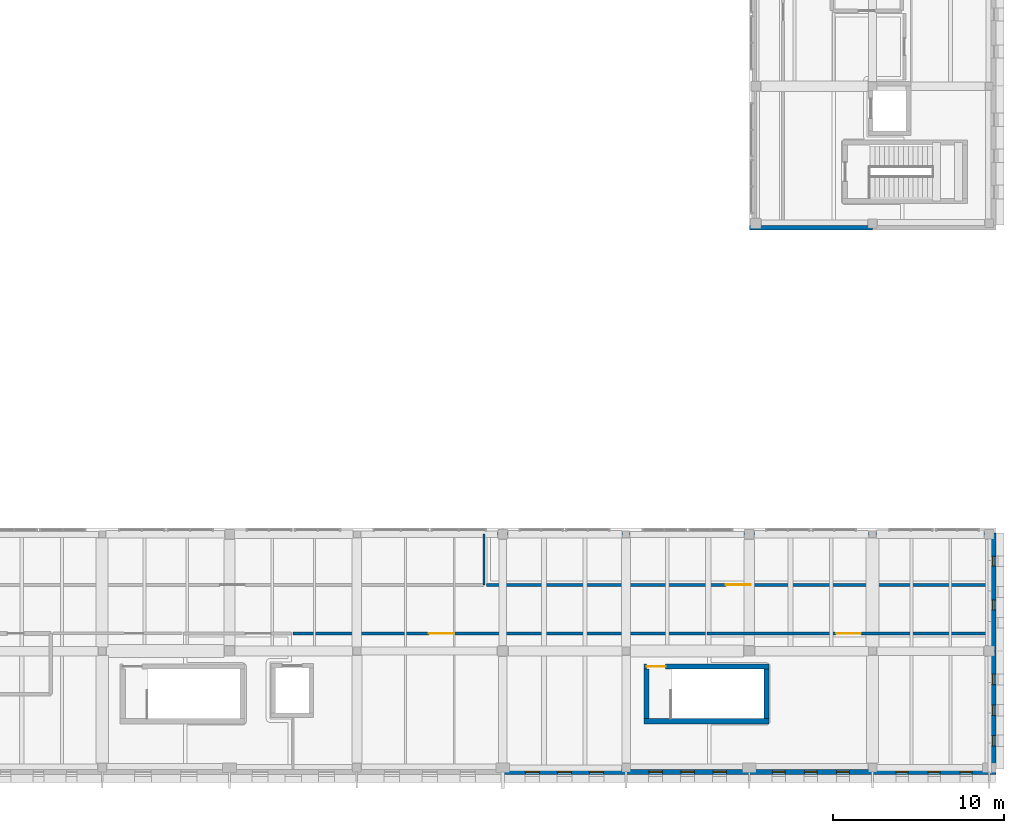
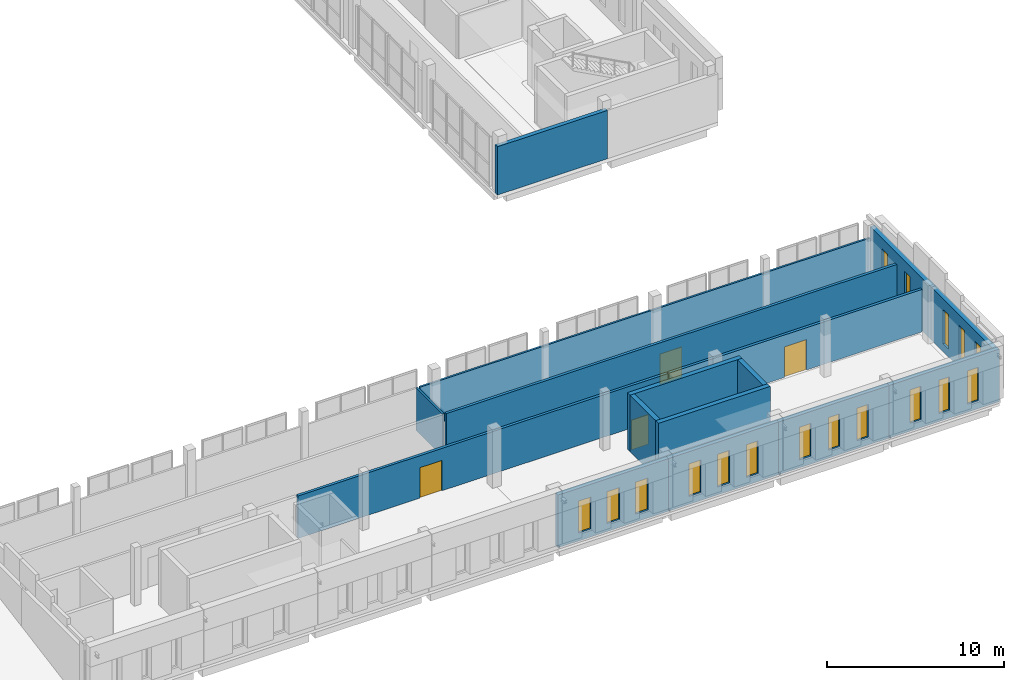
# One storey, part 43 of 56: 17 windows, 16 walls, 4 doors, 21 openings.
"""IFC4 building model written with IfcOpenShell, lengths in metres."""

from ifc_helpers import new_model, si_unit, direction, frame, frame_2d, origin, place, context, subcontext, project, spatial, rectangle, extrude, material, layer, layer_set, type_object, element, fill, save


model = new_model("IFC4")

# Units and contexts
model_context = context("Model", 3, precision=1e-05, world=origin(), true_north=direction((0.0, 1.0)))
body_context = subcontext(model_context, "Body", "Model", "MODEL_VIEW")
ifc_project = project(units=[si_unit("LENGTHUNIT", "METRE"), si_unit("AREAUNIT", "SQUARE_METRE"), si_unit("VOLUMEUNIT", "CUBIC_METRE"), si_unit("PLANEANGLEUNIT", "RADIAN"), si_unit("MASSUNIT", "GRAM", prefix="KILO")], contexts=[model_context])

# Site, building, storey
site_placement = place(None, origin())
site = spatial("IfcSite", under=ifc_project, at=site_placement, CompositionType="ELEMENT")
building_placement = place(site_placement, origin())
building = spatial("IfcBuilding", under=site, at=building_placement, Name="Vardoun Plaza Health Centre", CompositionType="ELEMENT")
storey_placement = place(building_placement, frame((0.0, 0.0, 8.699951171875)))
storey = spatial("IfcBuildingStorey", under=building, at=storey_placement, Name="L02", CompositionType="ELEMENT", Elevation=8.699951171875)

# Walls
ifc_material_1 = material(Name="Concrete C40/50", Category="concrete")
ifc_layer_1 = layer(ifc_material_1, 0.300048828125)
ifc_layer_set_1 = layer_set([ifc_layer_1], Name="Concrete C40/50")
wall_type_1 = type_object("IfcWallType", Name="SW-01", PredefinedType="SHEAR", material=ifc_layer_set_1)
wall_1_placement = place(storey_placement, frame((152.050048828125, 7.60009765625, 0.0), z_axis=(0.0, 0.0, 1.0), x_axis=(-1.0, 0.0, 0.0)))
element("IfcWall", 1, at=wall_1_placement, inside=storey, type_object=wall_type_1, Name="Core C9 L02 Shear Wall S", PredefinedType="SHEAR", context=body_context, shape_type="SweptSolid", body=[
    extrude(rectangle(XDim=7.300048828125, YDim=0.300048828125, at=frame_2d((3.64990234375, 0.0))), origin(), (0.0, 0.0, 1.0), 3.905029296875),
])
wall_2_placement = place(storey_placement, frame((144.89990234375, 7.75, 0.0), z_axis=(0.0, 0.0, 1.0), x_axis=(0.0, 1.0, 0.0)))
element("IfcWall", 2, at=wall_2_placement, inside=storey, type_object=wall_type_1, Name="Core C9 L02 Shear Wall W", PredefinedType="SHEAR", context=body_context, shape_type="SweptSolid", body=[
    extrude(rectangle(XDim=2.89990234375, YDim=0.300048828125, at=frame_2d((1.449951171875, 0.0))), origin(), (0.0, 0.0, 1.0), 3.905029296875),
])

# Wall, opening, door
wall_3_placement = place(storey_placement, frame((144.75, 10.800048828125, 0.0), z_axis=(0.0, 0.0, 1.0), x_axis=(1.0, 0.0, 0.0)))
wall_3 = element("IfcWall", 3, at=wall_3_placement, inside=storey, type_object=wall_type_1, Name="Core C9 L02 Shear Wall N", PredefinedType="SHEAR", context=body_context, shape_type="SweptSolid", body=[
    extrude(rectangle(XDim=7.300048828125, YDim=0.300048828125, at=frame_2d((3.64990234375, 0.0))), origin(), (0.0, 0.0, 1.0), 3.905029296875),
])
opening_1_placement = place(wall_3_placement, frame((0.159912109375, 0.0, 0.0)))
opening_1 = element("IfcOpeningElement", 4, at=opening_1_placement, cuts=wall_3, Name="Opening SD-C9-L02", PredefinedType="OPENING", context=body_context, shape_type="SweptSolid", body=[
    extrude(rectangle(XDim=1.10009765625, YDim=2.050048828125, at=frame_2d((0.550048828125, 1.02490234375))), frame((0.0, 0.14990234375, 0.0), z_axis=(0.0, -1.0, 0.0), x_axis=(1.0, 0.0, 0.0)), (0.0, 0.0, 1.0), 0.300048828125),
])
ifc_material_2 = material(Name="Brushed Stainless Steel Grade 316L", Category="steel")
door_type_1 = type_object("IfcDoorType", Name="FD-01", OperationType="NOTDEFINED", PredefinedType="DOOR", material=ifc_material_2)
door_1_placement = place(opening_1_placement, origin())
door_1 = element("IfcDoor", 5, at=door_1_placement, inside=storey, type_object=door_type_1, Name="Stair C9 L02 Fire Door", OperationType="SINGLE_SWING_RIGHT", OverallHeight=2.050048828125, OverallWidth=1.10009765625, PredefinedType="DOOR", context=body_context, shape_type="SweptSolid", body=[
    extrude(rectangle(XDim=1.10009765625, YDim=2.050048828125, at=frame_2d((0.550048828125, 1.02490234375))), frame((0.0, 0.02490234375, 0.0), z_axis=(0.0, -1.0, 0.0), x_axis=(1.0, 0.0, 0.0)), (0.0, 0.0, 1.0), 0.050048828125),
])
fill(opening_1, door_1)

# Walls
wall_4_placement = place(storey_placement, frame((151.89990234375, 10.64990234375, 0.0), z_axis=(0.0, 0.0, 1.0), x_axis=(0.0, -1.0, 0.0)))
element("IfcWall", 6, at=wall_4_placement, inside=storey, type_object=wall_type_1, Name="Core C9 L02 Shear Wall E", PredefinedType="SHEAR", context=body_context, shape_type="SweptSolid", body=[
    extrude(rectangle(XDim=2.89990234375, YDim=0.300048828125, at=frame_2d((1.449951171875, 0.0))), origin(), (0.0, 0.0, 1.0), 3.905029296875),
])
ifc_material_3 = material(Name="Pale Limestone Concrete C35/45", Category="masonry")
ifc_layer_2 = layer(ifc_material_3, 0.264892578125)
ifc_layer_set_2 = layer_set([ifc_layer_2], Name="Pale Limestone Concrete C35/45")
wall_type_2 = type_object("IfcWallType", Name="EW-06", PredefinedType="STANDARD", material=ifc_layer_set_2)
wall_5_placement = place(storey_placement, frame((158.10009765625, 36.4326171875, 0.0), z_axis=(0.0, 0.0, 1.0), x_axis=(-1.0, 0.0, 0.0)))
element("IfcWall", 7, at=wall_5_placement, inside=storey, type_object=wall_type_2, Name="V6 L02 Exterior Wall EW-V6-444", PredefinedType="STANDARD", context=body_context, shape_type="SweptSolid", body=[
    extrude(rectangle(XDim=7.2001953125, YDim=0.264892578125, at=frame_2d((3.60009765625, 0.0))), origin(), (0.0, 0.0, 1.0), 3.3349609375),
])

# Wall, openings, windows
ifc_material_4 = material(Name="Pale Limestone Concrete C35/45", Category="masonry")
ifc_layer_3 = layer(ifc_material_4, 0.294921875)
ifc_layer_set_3 = layer_set([ifc_layer_3], Name="Pale Limestone Concrete C35/45")
wall_type_3 = type_object("IfcWallType", Name="EW-04", PredefinedType="STANDARD", material=ifc_layer_set_3)
wall_6_placement = place(storey_placement, frame((165.152587890625, 18.60498046875, 0.0), z_axis=(0.0, 0.0, 1.0), x_axis=(0.0, -1.0, 0.0)))
wall_6 = element("IfcWall", 8, at=wall_6_placement, inside=storey, type_object=wall_type_3, Name="V5 L02 Exterior Wall EW-V5-392", PredefinedType="STANDARD", context=body_context, shape_type="SweptSolid", body=[
    extrude(rectangle(XDim=6.905029296875, YDim=0.294921875, at=frame_2d((3.45263671875, 0.0))), origin(), (0.0, 0.0, 1.0), 3.6318359375),
])
opening_2_placement = place(wall_6_placement, frame((1.3671875, 0.0, 0.550048828125)))
opening_2 = element("IfcOpeningElement", 9, at=opening_2_placement, cuts=wall_6, Name="Opening W-01-010", PredefinedType="OPENING", context=body_context, shape_type="SweptSolid", body=[
    extrude(rectangle(XDim=0.580078125, YDim=2.35009765625, at=frame_2d((0.2900390625, 1.175048828125))), frame((0.0, 0.1474609375, 0.0), z_axis=(0.0, -1.0, 0.0), x_axis=(1.0, 0.0, 0.0)), (0.0, 0.0, 1.0), 0.294921875),
])
opening_3_placement = place(wall_6_placement, frame((3.91259765625, 0.0, 0.550048828125)))
opening_3 = element("IfcOpeningElement", 10, at=opening_3_placement, cuts=wall_6, Name="Opening W-01-011", PredefinedType="OPENING", context=body_context, shape_type="SweptSolid", body=[
    extrude(rectangle(XDim=0.580078125, YDim=2.35009765625, at=frame_2d((0.2900390625, 1.175048828125))), frame((0.0, 0.1474609375, 0.0), z_axis=(0.0, -1.0, 0.0), x_axis=(1.0, 0.0, 0.0)), (0.0, 0.0, 1.0), 0.294921875),
])
ifc_material_5 = material(Name="Aluminium Alloy EN AW-6063-T6 and Low-E Glass", Category="aluminium")
window_type_1 = type_object("IfcWindowType", Name="W-01", PartitioningType="SINGLE_PANEL", PredefinedType="WINDOW", material=ifc_material_5)
window_1_placement = place(opening_2_placement, origin())
window_1 = element("IfcWindow", 11, at=window_1_placement, inside=storey, type_object=window_type_1, Name="V5 L02 Deep-Punched Slot Window W-01-596", OverallHeight=2.35009765625, OverallWidth=0.580078125, PartitioningType="SINGLE_PANEL", PredefinedType="WINDOW", context=body_context, shape_type="SweptSolid", body=[
    extrude(rectangle(XDim=0.580078125, YDim=2.35009765625, at=frame_2d((0.2900390625, 1.175048828125))), frame((0.0, 0.030029296875, 0.0), z_axis=(0.0, -1.0, 0.0), x_axis=(1.0, 0.0, 0.0)), (0.0, 0.0, 1.0), 0.06005859375),
])
fill(opening_2, window_1)
window_2_placement = place(opening_3_placement, origin())
window_2 = element("IfcWindow", 12, at=window_2_placement, inside=storey, type_object=window_type_1, Name="V5 L02 Deep-Punched Slot Window W-01-597", OverallHeight=2.35009765625, OverallWidth=0.580078125, PartitioningType="SINGLE_PANEL", PredefinedType="WINDOW", context=body_context, shape_type="SweptSolid", body=[
    extrude(rectangle(XDim=0.580078125, YDim=2.35009765625, at=frame_2d((0.2900390625, 1.175048828125))), frame((0.0, 0.030029296875, 0.0), z_axis=(0.0, -1.0, 0.0), x_axis=(1.0, 0.0, 0.0)), (0.0, 0.0, 1.0), 0.06005859375),
])
fill(opening_3, window_2)

wall_7_placement = place(storey_placement, frame((165.152587890625, 11.699951171875, 0.0), z_axis=(0.0, 0.0, 1.0), x_axis=(0.0, -1.0, 0.0)))
wall_7 = element("IfcWall", 13, at=wall_7_placement, inside=storey, type_object=wall_type_3, Name="V5 L02 Exterior Wall EW-V5-393", PredefinedType="STANDARD", context=body_context, shape_type="SweptSolid", body=[
    extrude(rectangle(XDim=6.905029296875, YDim=0.294921875, at=frame_2d((3.45263671875, 0.0))), origin(), (0.0, 0.0, 1.0), 3.6318359375),
])
opening_4_placement = place(wall_7_placement, frame((1.34716796875, 0.0, 0.550048828125)))
opening_4 = element("IfcOpeningElement", 14, at=opening_4_placement, cuts=wall_7, Name="Opening W-02-011", PredefinedType="OPENING", context=body_context, shape_type="SweptSolid", body=[
    extrude(rectangle(XDim=0.6201171875, YDim=2.35009765625, at=frame_2d((0.31005859375, 1.175048828125))), frame((0.0, 0.1474609375, 0.0), z_axis=(0.0, -1.0, 0.0), x_axis=(1.0, 0.0, 0.0)), (0.0, 0.0, 1.0), 0.294921875),
])
opening_5_placement = place(wall_7_placement, frame((3.142578125, 0.0, 0.550048828125)))
opening_5 = element("IfcOpeningElement", 15, at=opening_5_placement, cuts=wall_7, Name="Opening W-02-012", PredefinedType="OPENING", context=body_context, shape_type="SweptSolid", body=[
    extrude(rectangle(XDim=0.6201171875, YDim=2.35009765625, at=frame_2d((0.31005859375, 1.175048828125))), frame((0.0, 0.1474609375, 0.0), z_axis=(0.0, -1.0, 0.0), x_axis=(1.0, 0.0, 0.0)), (0.0, 0.0, 1.0), 0.294921875),
])
opening_6_placement = place(wall_7_placement, frame((4.937744140625, 0.0, 0.550048828125)))
opening_6 = element("IfcOpeningElement", 16, at=opening_6_placement, cuts=wall_7, Name="Opening W-02-013", PredefinedType="OPENING", context=body_context, shape_type="SweptSolid", body=[
    extrude(rectangle(XDim=0.6201171875, YDim=2.35009765625, at=frame_2d((0.31005859375, 1.175048828125))), frame((0.0, 0.1474609375, 0.0), z_axis=(0.0, -1.0, 0.0), x_axis=(1.0, 0.0, 0.0)), (0.0, 0.0, 1.0), 0.294921875),
])
ifc_material_6 = material(Name="Aluminium Alloy EN AW-6063-T6 and Low-E Glass", Category="aluminium")
window_type_2 = type_object("IfcWindowType", Name="W-02", PartitioningType="SINGLE_PANEL", PredefinedType="WINDOW", material=ifc_material_6)
window_3_placement = place(opening_4_placement, origin())
window_3 = element("IfcWindow", 17, at=window_3_placement, inside=storey, type_object=window_type_2, Name="V5 L02 Deep-Punched Slot Window W-02-599", OverallHeight=2.35009765625, OverallWidth=0.6201171875, PartitioningType="SINGLE_PANEL", PredefinedType="WINDOW", context=body_context, shape_type="SweptSolid", body=[
    extrude(rectangle(XDim=0.6201171875, YDim=2.35009765625, at=frame_2d((0.31005859375, 1.175048828125))), frame((0.0, 0.030029296875, 0.0), z_axis=(0.0, -1.0, 0.0), x_axis=(1.0, 0.0, 0.0)), (0.0, 0.0, 1.0), 0.06005859375),
])
fill(opening_4, window_3)
window_4_placement = place(opening_5_placement, origin())
window_4 = element("IfcWindow", 18, at=window_4_placement, inside=storey, type_object=window_type_2, Name="V5 L02 Deep-Punched Slot Window W-02-600", OverallHeight=2.35009765625, OverallWidth=0.6201171875, PartitioningType="SINGLE_PANEL", PredefinedType="WINDOW", context=body_context, shape_type="SweptSolid", body=[
    extrude(rectangle(XDim=0.6201171875, YDim=2.35009765625, at=frame_2d((0.31005859375, 1.175048828125))), frame((0.0, 0.030029296875, 0.0), z_axis=(0.0, -1.0, 0.0), x_axis=(1.0, 0.0, 0.0)), (0.0, 0.0, 1.0), 0.06005859375),
])
fill(opening_5, window_4)
window_5_placement = place(opening_6_placement, origin())
window_5 = element("IfcWindow", 19, at=window_5_placement, inside=storey, type_object=window_type_2, Name="V5 L02 Deep-Punched Slot Window W-02-601", OverallHeight=2.35009765625, OverallWidth=0.6201171875, PartitioningType="SINGLE_PANEL", PredefinedType="WINDOW", context=body_context, shape_type="SweptSolid", body=[
    extrude(rectangle(XDim=0.6201171875, YDim=2.35009765625, at=frame_2d((0.31005859375, 1.175048828125))), frame((0.0, 0.030029296875, 0.0), z_axis=(0.0, -1.0, 0.0), x_axis=(1.0, 0.0, 0.0)), (0.0, 0.0, 1.0), 0.06005859375),
])
fill(opening_6, window_5)

wall_8_placement = place(storey_placement, frame((165.300048828125, 4.6474609375, 0.0), z_axis=(0.0, 0.0, 1.0), x_axis=(-1.0, 0.0, 0.0)))
wall_8 = element("IfcWall", 20, at=wall_8_placement, inside=storey, type_object=wall_type_3, Name="V5 L02 Exterior Wall EW-V5-394", PredefinedType="STANDARD", context=body_context, shape_type="SweptSolid", body=[
    extrude(rectangle(XDim=7.199951171875, YDim=0.294921875, at=frame_2d((3.60009765625, 0.0))), origin(), (0.0, 0.0, 1.0), 3.6318359375),
])
opening_7_placement = place(wall_8_placement, frame((1.3779296875, 0.0, 0.550048828125)))
opening_7 = element("IfcOpeningElement", 21, at=opening_7_placement, cuts=wall_8, Name="Opening W-04-005", PredefinedType="OPENING", context=body_context, shape_type="SweptSolid", body=[
    extrude(rectangle(XDim=0.699951171875, YDim=2.300048828125, at=frame_2d((0.35009765625, 1.14990234375))), frame((0.0, 0.1474609375, 0.0), z_axis=(0.0, -1.0, 0.0), x_axis=(1.0, 0.0, 0.0)), (0.0, 0.0, 1.0), 0.294921875),
])
opening_8_placement = place(wall_8_placement, frame((3.25, 0.0, 0.550048828125)))
opening_8 = element("IfcOpeningElement", 22, at=opening_8_placement, cuts=wall_8, Name="Opening W-04-006", PredefinedType="OPENING", context=body_context, shape_type="SweptSolid", body=[
    extrude(rectangle(XDim=0.699951171875, YDim=2.300048828125, at=frame_2d((0.35009765625, 1.14990234375))), frame((0.0, 0.1474609375, 0.0), z_axis=(0.0, -1.0, 0.0), x_axis=(1.0, 0.0, 0.0)), (0.0, 0.0, 1.0), 0.294921875),
])
opening_9_placement = place(wall_8_placement, frame((5.1220703125, 0.0, 0.550048828125)))
opening_9 = element("IfcOpeningElement", 23, at=opening_9_placement, cuts=wall_8, Name="Opening W-04-007", PredefinedType="OPENING", context=body_context, shape_type="SweptSolid", body=[
    extrude(rectangle(XDim=0.699951171875, YDim=2.300048828125, at=frame_2d((0.35009765625, 1.14990234375))), frame((0.0, 0.1474609375, 0.0), z_axis=(0.0, -1.0, 0.0), x_axis=(1.0, 0.0, 0.0)), (0.0, 0.0, 1.0), 0.294921875),
])
ifc_material_7 = material(Name="Aluminium Alloy EN AW-6063-T6 and Low-E Glass", Category="aluminium")
window_type_3 = type_object("IfcWindowType", Name="W-04", PartitioningType="SINGLE_PANEL", PredefinedType="WINDOW", material=ifc_material_7)
window_6_placement = place(opening_7_placement, origin())
window_6 = element("IfcWindow", 24, at=window_6_placement, inside=storey, type_object=window_type_3, Name="V5 L02 Deep-Punched Slot Window W-04-602", OverallHeight=2.300048828125, OverallWidth=0.699951171875, PartitioningType="SINGLE_PANEL", PredefinedType="WINDOW", context=body_context, shape_type="SweptSolid", body=[
    extrude(rectangle(XDim=0.699951171875, YDim=2.300048828125, at=frame_2d((0.35009765625, 1.14990234375))), frame((0.0, 0.030029296875, 0.0), z_axis=(0.0, -1.0, 0.0), x_axis=(1.0, 0.0, 0.0)), (0.0, 0.0, 1.0), 0.06005859375),
])
fill(opening_7, window_6)
window_7_placement = place(opening_8_placement, origin())
window_7 = element("IfcWindow", 25, at=window_7_placement, inside=storey, type_object=window_type_3, Name="V5 L02 Deep-Punched Slot Window W-04-603", OverallHeight=2.300048828125, OverallWidth=0.699951171875, PartitioningType="SINGLE_PANEL", PredefinedType="WINDOW", context=body_context, shape_type="SweptSolid", body=[
    extrude(rectangle(XDim=0.699951171875, YDim=2.300048828125, at=frame_2d((0.35009765625, 1.14990234375))), frame((0.0, 0.030029296875, 0.0), z_axis=(0.0, -1.0, 0.0), x_axis=(1.0, 0.0, 0.0)), (0.0, 0.0, 1.0), 0.06005859375),
])
fill(opening_8, window_7)
window_8_placement = place(opening_9_placement, origin())
window_8 = element("IfcWindow", 26, at=window_8_placement, inside=storey, type_object=window_type_3, Name="V5 L02 Deep-Punched Slot Window W-04-604", OverallHeight=2.300048828125, OverallWidth=0.699951171875, PartitioningType="SINGLE_PANEL", PredefinedType="WINDOW", context=body_context, shape_type="SweptSolid", body=[
    extrude(rectangle(XDim=0.699951171875, YDim=2.300048828125, at=frame_2d((0.35009765625, 1.14990234375))), frame((0.0, 0.030029296875, 0.0), z_axis=(0.0, -1.0, 0.0), x_axis=(1.0, 0.0, 0.0)), (0.0, 0.0, 1.0), 0.06005859375),
])
fill(opening_9, window_8)

wall_9_placement = place(storey_placement, frame((158.10009765625, 4.6474609375, 0.0), z_axis=(0.0, 0.0, 1.0), x_axis=(-1.0, 0.0, 0.0)))
wall_9 = element("IfcWall", 27, at=wall_9_placement, inside=storey, type_object=wall_type_3, Name="V5 L02 Exterior Wall EW-V5-395", PredefinedType="STANDARD", context=body_context, shape_type="SweptSolid", body=[
    extrude(rectangle(XDim=7.2001953125, YDim=0.294921875, at=frame_2d((3.60009765625, 0.0))), origin(), (0.0, 0.0, 1.0), 3.6318359375),
])
opening_10_placement = place(wall_9_placement, frame((1.35791015625, 0.0, 0.550048828125)))
opening_10 = element("IfcOpeningElement", 28, at=opening_10_placement, cuts=wall_9, Name="Opening W-05-011", PredefinedType="OPENING", context=body_context, shape_type="SweptSolid", body=[
    extrude(rectangle(XDim=0.739990234375, YDim=2.25, at=frame_2d((0.3701171875, 1.125))), frame((0.0, 0.1474609375, 0.0), z_axis=(0.0, -1.0, 0.0), x_axis=(1.0, 0.0, 0.0)), (0.0, 0.0, 1.0), 0.294921875),
])
opening_11_placement = place(wall_9_placement, frame((3.22998046875, 0.0, 0.550048828125)))
opening_11 = element("IfcOpeningElement", 29, at=opening_11_placement, cuts=wall_9, Name="Opening W-05-012", PredefinedType="OPENING", context=body_context, shape_type="SweptSolid", body=[
    extrude(rectangle(XDim=0.739990234375, YDim=2.25, at=frame_2d((0.3701171875, 1.125))), frame((0.0, 0.1474609375, 0.0), z_axis=(0.0, -1.0, 0.0), x_axis=(1.0, 0.0, 0.0)), (0.0, 0.0, 1.0), 0.294921875),
])
opening_12_placement = place(wall_9_placement, frame((5.10205078125, 0.0, 0.550048828125)))
opening_12 = element("IfcOpeningElement", 30, at=opening_12_placement, cuts=wall_9, Name="Opening W-05-013", PredefinedType="OPENING", context=body_context, shape_type="SweptSolid", body=[
    extrude(rectangle(XDim=0.739990234375, YDim=2.25, at=frame_2d((0.3701171875, 1.125))), frame((0.0, 0.1474609375, 0.0), z_axis=(0.0, -1.0, 0.0), x_axis=(1.0, 0.0, 0.0)), (0.0, 0.0, 1.0), 0.294921875),
])
ifc_material_8 = material(Name="Aluminium Alloy EN AW-6063-T6 and Low-E Glass", Category="aluminium")
window_type_4 = type_object("IfcWindowType", Name="W-05", PartitioningType="SINGLE_PANEL", PredefinedType="WINDOW", material=ifc_material_8)
window_9_placement = place(opening_10_placement, origin())
window_9 = element("IfcWindow", 31, at=window_9_placement, inside=storey, type_object=window_type_4, Name="V5 L02 Deep-Punched Slot Window W-05-605", OverallHeight=2.25, OverallWidth=0.739990234375, PartitioningType="SINGLE_PANEL", PredefinedType="WINDOW", context=body_context, shape_type="SweptSolid", body=[
    extrude(rectangle(XDim=0.739990234375, YDim=2.25, at=frame_2d((0.3701171875, 1.125))), frame((0.0, 0.030029296875, 0.0), z_axis=(0.0, -1.0, 0.0), x_axis=(1.0, 0.0, 0.0)), (0.0, 0.0, 1.0), 0.06005859375),
])
fill(opening_10, window_9)
window_10_placement = place(opening_11_placement, origin())
window_10 = element("IfcWindow", 32, at=window_10_placement, inside=storey, type_object=window_type_4, Name="V5 L02 Deep-Punched Slot Window W-05-606", OverallHeight=2.25, OverallWidth=0.739990234375, PartitioningType="SINGLE_PANEL", PredefinedType="WINDOW", context=body_context, shape_type="SweptSolid", body=[
    extrude(rectangle(XDim=0.739990234375, YDim=2.25, at=frame_2d((0.3701171875, 1.125))), frame((0.0, 0.030029296875, 0.0), z_axis=(0.0, -1.0, 0.0), x_axis=(1.0, 0.0, 0.0)), (0.0, 0.0, 1.0), 0.06005859375),
])
fill(opening_11, window_10)
window_11_placement = place(opening_12_placement, origin())
window_11 = element("IfcWindow", 33, at=window_11_placement, inside=storey, type_object=window_type_4, Name="V5 L02 Deep-Punched Slot Window W-05-607", OverallHeight=2.25, OverallWidth=0.739990234375, PartitioningType="SINGLE_PANEL", PredefinedType="WINDOW", context=body_context, shape_type="SweptSolid", body=[
    extrude(rectangle(XDim=0.739990234375, YDim=2.25, at=frame_2d((0.3701171875, 1.125))), frame((0.0, 0.030029296875, 0.0), z_axis=(0.0, -1.0, 0.0), x_axis=(1.0, 0.0, 0.0)), (0.0, 0.0, 1.0), 0.06005859375),
])
fill(opening_12, window_11)

wall_10_placement = place(storey_placement, frame((150.89990234375, 4.6474609375, 0.0), z_axis=(0.0, 0.0, 1.0), x_axis=(-1.0, 0.0, 0.0)))
wall_10 = element("IfcWall", 34, at=wall_10_placement, inside=storey, type_object=wall_type_3, Name="V5 L02 Exterior Wall EW-V5-396", PredefinedType="STANDARD", context=body_context, shape_type="SweptSolid", body=[
    extrude(rectangle(XDim=7.199951171875, YDim=0.294921875, at=frame_2d((3.60009765625, 0.0))), origin(), (0.0, 0.0, 1.0), 3.6318359375),
])
opening_13_placement = place(wall_10_placement, frame((1.337890625, 0.0, 0.550048828125)))
opening_13 = element("IfcOpeningElement", 35, at=opening_13_placement, cuts=wall_10, Name="Opening W-06-016", PredefinedType="OPENING", context=body_context, shape_type="SweptSolid", body=[
    extrude(rectangle(XDim=0.780029296875, YDim=2.25, at=frame_2d((0.39013671875, 1.125))), frame((0.0, 0.1474609375, 0.0), z_axis=(0.0, -1.0, 0.0), x_axis=(1.0, 0.0, 0.0)), (0.0, 0.0, 1.0), 0.294921875),
])
opening_14_placement = place(wall_10_placement, frame((3.2099609375, 0.0, 0.550048828125)))
opening_14 = element("IfcOpeningElement", 36, at=opening_14_placement, cuts=wall_10, Name="Opening W-06-017", PredefinedType="OPENING", context=body_context, shape_type="SweptSolid", body=[
    extrude(rectangle(XDim=0.780029296875, YDim=2.25, at=frame_2d((0.39013671875, 1.125))), frame((0.0, 0.1474609375, 0.0), z_axis=(0.0, -1.0, 0.0), x_axis=(1.0, 0.0, 0.0)), (0.0, 0.0, 1.0), 0.294921875),
])
opening_15_placement = place(wall_10_placement, frame((5.08203125, 0.0, 0.550048828125)))
opening_15 = element("IfcOpeningElement", 37, at=opening_15_placement, cuts=wall_10, Name="Opening W-06-018", PredefinedType="OPENING", context=body_context, shape_type="SweptSolid", body=[
    extrude(rectangle(XDim=0.780029296875, YDim=2.25, at=frame_2d((0.39013671875, 1.125))), frame((0.0, 0.1474609375, 0.0), z_axis=(0.0, -1.0, 0.0), x_axis=(1.0, 0.0, 0.0)), (0.0, 0.0, 1.0), 0.294921875),
])
ifc_material_9 = material(Name="Aluminium Alloy EN AW-6063-T6 and Low-E Glass", Category="aluminium")
window_type_5 = type_object("IfcWindowType", Name="W-06", PartitioningType="SINGLE_PANEL", PredefinedType="WINDOW", material=ifc_material_9)
window_12_placement = place(opening_13_placement, origin())
window_12 = element("IfcWindow", 38, at=window_12_placement, inside=storey, type_object=window_type_5, Name="V5 L02 Deep-Punched Slot Window W-06-608", OverallHeight=2.25, OverallWidth=0.780029296875, PartitioningType="SINGLE_PANEL", PredefinedType="WINDOW", context=body_context, shape_type="SweptSolid", body=[
    extrude(rectangle(XDim=0.780029296875, YDim=2.25, at=frame_2d((0.39013671875, 1.125))), frame((0.0, 0.030029296875, 0.0), z_axis=(0.0, -1.0, 0.0), x_axis=(1.0, 0.0, 0.0)), (0.0, 0.0, 1.0), 0.06005859375),
])
fill(opening_13, window_12)
window_13_placement = place(opening_14_placement, origin())
window_13 = element("IfcWindow", 39, at=window_13_placement, inside=storey, type_object=window_type_5, Name="V5 L02 Deep-Punched Slot Window W-06-609", OverallHeight=2.25, OverallWidth=0.780029296875, PartitioningType="SINGLE_PANEL", PredefinedType="WINDOW", context=body_context, shape_type="SweptSolid", body=[
    extrude(rectangle(XDim=0.780029296875, YDim=2.25, at=frame_2d((0.39013671875, 1.125))), frame((0.0, 0.030029296875, 0.0), z_axis=(0.0, -1.0, 0.0), x_axis=(1.0, 0.0, 0.0)), (0.0, 0.0, 1.0), 0.06005859375),
])
fill(opening_14, window_13)
window_14_placement = place(opening_15_placement, origin())
window_14 = element("IfcWindow", 40, at=window_14_placement, inside=storey, type_object=window_type_5, Name="V5 L02 Deep-Punched Slot Window W-06-610", OverallHeight=2.25, OverallWidth=0.780029296875, PartitioningType="SINGLE_PANEL", PredefinedType="WINDOW", context=body_context, shape_type="SweptSolid", body=[
    extrude(rectangle(XDim=0.780029296875, YDim=2.25, at=frame_2d((0.39013671875, 1.125))), frame((0.0, 0.030029296875, 0.0), z_axis=(0.0, -1.0, 0.0), x_axis=(1.0, 0.0, 0.0)), (0.0, 0.0, 1.0), 0.06005859375),
])
fill(opening_15, window_14)

wall_11_placement = place(storey_placement, frame((143.699951171875, 4.6474609375, 0.0), z_axis=(0.0, 0.0, 1.0), x_axis=(-1.0, 0.0, 0.0)))
wall_11 = element("IfcWall", 41, at=wall_11_placement, inside=storey, type_object=wall_type_3, Name="V5 L02 Exterior Wall EW-V5-397", PredefinedType="STANDARD", context=body_context, shape_type="SweptSolid", body=[
    extrude(rectangle(XDim=7.199951171875, YDim=0.294921875, at=frame_2d((3.60009765625, 0.0))), origin(), (0.0, 0.0, 1.0), 3.6318359375),
])
opening_16_placement = place(wall_11_placement, frame((1.318115234375, 0.0, 0.550048828125)))
opening_16 = element("IfcOpeningElement", 42, at=opening_16_placement, cuts=wall_11, Name="Opening W-07-019", PredefinedType="OPENING", context=body_context, shape_type="SweptSolid", body=[
    extrude(rectangle(XDim=0.820068359375, YDim=2.199951171875, at=frame_2d((0.41015625, 1.10009765625))), frame((0.0, 0.1474609375, 0.0), z_axis=(0.0, -1.0, 0.0), x_axis=(1.0, 0.0, 0.0)), (0.0, 0.0, 1.0), 0.294921875),
])
opening_17_placement = place(wall_11_placement, frame((3.18994140625, 0.0, 0.550048828125)))
opening_17 = element("IfcOpeningElement", 43, at=opening_17_placement, cuts=wall_11, Name="Opening W-07-020", PredefinedType="OPENING", context=body_context, shape_type="SweptSolid", body=[
    extrude(rectangle(XDim=0.820068359375, YDim=2.199951171875, at=frame_2d((0.41015625, 1.10009765625))), frame((0.0, 0.1474609375, 0.0), z_axis=(0.0, -1.0, 0.0), x_axis=(1.0, 0.0, 0.0)), (0.0, 0.0, 1.0), 0.294921875),
])
opening_18_placement = place(wall_11_placement, frame((5.06201171875, 0.0, 0.550048828125)))
opening_18 = element("IfcOpeningElement", 44, at=opening_18_placement, cuts=wall_11, Name="Opening W-07-021", PredefinedType="OPENING", context=body_context, shape_type="SweptSolid", body=[
    extrude(rectangle(XDim=0.820068359375, YDim=2.199951171875, at=frame_2d((0.41015625, 1.10009765625))), frame((0.0, 0.1474609375, 0.0), z_axis=(0.0, -1.0, 0.0), x_axis=(1.0, 0.0, 0.0)), (0.0, 0.0, 1.0), 0.294921875),
])
ifc_material_10 = material(Name="Aluminium Alloy EN AW-6063-T6 and Low-E Glass", Category="aluminium")
window_type_6 = type_object("IfcWindowType", Name="W-07", PartitioningType="SINGLE_PANEL", PredefinedType="WINDOW", material=ifc_material_10)
window_15_placement = place(opening_16_placement, origin())
window_15 = element("IfcWindow", 45, at=window_15_placement, inside=storey, type_object=window_type_6, Name="V5 L02 Deep-Punched Slot Window W-07-611", OverallHeight=2.199951171875, OverallWidth=0.820068359375, PartitioningType="SINGLE_PANEL", PredefinedType="WINDOW", context=body_context, shape_type="SweptSolid", body=[
    extrude(rectangle(XDim=0.820068359375, YDim=2.199951171875, at=frame_2d((0.41015625, 1.10009765625))), frame((0.0, 0.030029296875, 0.0), z_axis=(0.0, -1.0, 0.0), x_axis=(1.0, 0.0, 0.0)), (0.0, 0.0, 1.0), 0.06005859375),
])
fill(opening_16, window_15)
window_16_placement = place(opening_17_placement, origin())
window_16 = element("IfcWindow", 46, at=window_16_placement, inside=storey, type_object=window_type_6, Name="V5 L02 Deep-Punched Slot Window W-07-612", OverallHeight=2.199951171875, OverallWidth=0.820068359375, PartitioningType="SINGLE_PANEL", PredefinedType="WINDOW", context=body_context, shape_type="SweptSolid", body=[
    extrude(rectangle(XDim=0.820068359375, YDim=2.199951171875, at=frame_2d((0.41015625, 1.10009765625))), frame((0.0, 0.030029296875, 0.0), z_axis=(0.0, -1.0, 0.0), x_axis=(1.0, 0.0, 0.0)), (0.0, 0.0, 1.0), 0.06005859375),
])
fill(opening_17, window_16)
window_17_placement = place(opening_18_placement, origin())
window_17 = element("IfcWindow", 47, at=window_17_placement, inside=storey, type_object=window_type_6, Name="V5 L02 Deep-Punched Slot Window W-07-613", OverallHeight=2.199951171875, OverallWidth=0.820068359375, PartitioningType="SINGLE_PANEL", PredefinedType="WINDOW", context=body_context, shape_type="SweptSolid", body=[
    extrude(rectangle(XDim=0.820068359375, YDim=2.199951171875, at=frame_2d((0.41015625, 1.10009765625))), frame((0.0, 0.030029296875, 0.0), z_axis=(0.0, -1.0, 0.0), x_axis=(1.0, 0.0, 0.0)), (0.0, 0.0, 1.0), 0.06005859375),
])
fill(opening_18, window_17)

# Walls
ifc_material_11 = material(Name="Standard Clinical Sub-Partition", Category="steel")
ifc_layer_4 = layer(ifc_material_11, 0.125)
ifc_layer_set_4 = layer_set([ifc_layer_4], Name="Standard Clinical Sub-Partition")
wall_type_4 = type_object("IfcWallType", Name="IW-11", PredefinedType="PARTITIONING", material=ifc_layer_set_4)
wall_12_placement = place(storey_placement, frame((135.39990234375, 18.550048828125, 0.0), z_axis=(0.0, 0.0, 1.0), x_axis=(0.0, -1.0, 0.0)))
element("IfcWall", 48, at=wall_12_placement, inside=storey, type_object=wall_type_4, Name="Day Surgery Operating Theatre 3 Enclosure Partition", PredefinedType="PARTITIONING", context=body_context, shape_type="SweptSolid", body=[
    extrude(rectangle(XDim=2.97998046875, YDim=0.125, at=frame_2d((1.489990234375, 0.0))), origin(), (0.0, 0.0, 1.0), 2.925048828125),
])
wall_13_placement = place(storey_placement, frame((135.56005859375, 18.550048828125, 0.0), z_axis=(0.0, 0.0, 1.0), x_axis=(1.0, 0.0, 0.0)))
element("IfcWall", 49, at=wall_13_placement, inside=storey, type_object=wall_type_4, Name="Post-Anaesthesia Care Unit PACU Enclosure Partition", PredefinedType="PARTITIONING", context=body_context, shape_type="SweptSolid", body=[
    extrude(rectangle(XDim=29.389892578125, YDim=0.125, at=frame_2d((14.69482421875, 0.0))), origin(), (0.0, 0.0, 1.0), 2.925048828125),
])

# Wall, opening, door
ifc_material_12 = material(Name="Acoustic Fireboard Galvanised Steel S275JR Stud", Category="steel")
ifc_layer_5 = layer(ifc_material_12, 0.179931640625)
ifc_layer_set_5 = layer_set([ifc_layer_5], Name="Acoustic Fireboard Galvanised Steel S275JR Stud")
wall_type_5 = type_object("IfcWallType", Name="IW-02", PredefinedType="PARTITIONING", material=ifc_layer_set_5)
wall_14_placement = place(storey_placement, frame((124.239990234375, 12.72998046875, 0.0), z_axis=(0.0, 0.0, 1.0), x_axis=(1.0, 0.0, 0.0)))
wall_14 = element("IfcWall", 50, at=wall_14_placement, inside=storey, type_object=wall_type_5, Name="Day Surgery Operating Theatre 1 Partition Wall", PredefinedType="PARTITIONING", context=body_context, shape_type="SweptSolid", body=[
    extrude(rectangle(XDim=24.1201171875, YDim=0.179931640625, at=frame_2d((12.06005859375, 0.0))), origin(), (0.0, 0.0, 1.0), 2.925048828125),
])
opening_19_placement = place(wall_14_placement, frame((7.9345703125, 0.0, 0.0)))
opening_19 = element("IfcOpeningElement", 51, at=opening_19_placement, cuts=wall_14, Name="Opening D-L02-149", PredefinedType="OPENING", context=body_context, shape_type="SweptSolid", body=[
    extrude(rectangle(XDim=1.449951171875, YDim=2.10009765625, at=frame_2d((0.72509765625, 1.050048828125))), frame((0.0, 0.08984375, 0.0), z_axis=(0.0, -1.0, 0.0), x_axis=(1.0, 0.0, 0.0)), (0.0, 0.0, 1.0), 0.179931640625),
])
ifc_material_13 = material(Name="Antimicrobial Acoustic Timber and Steel S275JR", Category="steel")
door_type_2 = type_object("IfcDoorType", Name="CD-01", OperationType="SLIDING_TO_LEFT", PredefinedType="DOOR", material=ifc_material_13)
door_2_placement = place(opening_19_placement, origin())
door_2 = element("IfcDoor", 52, at=door_2_placement, inside=storey, type_object=door_type_2, Name="Day Surgery Operating Theatre 1 Door D-L02-149", OperationType="SLIDING_TO_LEFT", OverallHeight=2.10009765625, OverallWidth=1.449951171875, PredefinedType="DOOR", context=body_context, shape_type="SweptSolid", body=[
    extrude(rectangle(XDim=1.449951171875, YDim=2.10009765625, at=frame_2d((0.72509765625, 1.050048828125))), frame((0.0, 0.02490234375, 0.0), z_axis=(0.0, -1.0, 0.0), x_axis=(1.0, 0.0, 0.0)), (0.0, 0.0, 1.0), 0.050048828125),
])
fill(opening_19, door_2)

wall_15_placement = place(storey_placement, frame((148.43994140625, 12.72998046875, 0.0), z_axis=(0.0, 0.0, 1.0), x_axis=(1.0, 0.0, 0.0)))
wall_15 = element("IfcWall", 53, at=wall_15_placement, inside=storey, type_object=wall_type_5, Name="Day Surgery Operating Theatre 2 Partition Wall", PredefinedType="PARTITIONING", context=body_context, shape_type="SweptSolid", body=[
    extrude(rectangle(XDim=16.510009765625, YDim=0.179931640625, at=frame_2d((8.2548828125, 0.0))), origin(), (0.0, 0.0, 1.0), 2.925048828125),
])
opening_20_placement = place(wall_15_placement, frame((7.530029296875, 0.0, 0.0)))
opening_20 = element("IfcOpeningElement", 54, at=opening_20_placement, cuts=wall_15, Name="Opening D-L02-150", PredefinedType="OPENING", context=body_context, shape_type="SweptSolid", body=[
    extrude(rectangle(XDim=1.449951171875, YDim=2.10009765625, at=frame_2d((0.72509765625, 1.050048828125))), frame((0.0, 0.08984375, 0.0), z_axis=(0.0, -1.0, 0.0), x_axis=(1.0, 0.0, 0.0)), (0.0, 0.0, 1.0), 0.179931640625),
])
door_3_placement = place(opening_20_placement, origin())
door_3 = element("IfcDoor", 55, at=door_3_placement, inside=storey, type_object=door_type_2, Name="Day Surgery Operating Theatre 2 Door D-L02-150", OperationType="SLIDING_TO_LEFT", OverallHeight=2.10009765625, OverallWidth=1.449951171875, PredefinedType="DOOR", context=body_context, shape_type="SweptSolid", body=[
    extrude(rectangle(XDim=1.449951171875, YDim=2.10009765625, at=frame_2d((0.72509765625, 1.050048828125))), frame((0.0, 0.02490234375, 0.0), z_axis=(0.0, -1.0, 0.0), x_axis=(1.0, 0.0, 0.0)), (0.0, 0.0, 1.0), 0.050048828125),
])
fill(opening_20, door_3)

wall_16_placement = place(storey_placement, frame((164.949951171875, 15.570068359375, 0.0), z_axis=(0.0, 0.0, 1.0), x_axis=(-1.0, 0.0, 0.0)))
wall_16 = element("IfcWall", 56, at=wall_16_placement, inside=storey, type_object=wall_type_5, Name="Post-Anaesthesia Care Unit PACU Partition Wall", PredefinedType="PARTITIONING", context=body_context, shape_type="SweptSolid", body=[
    extrude(rectangle(XDim=29.389892578125, YDim=0.179931640625, at=frame_2d((14.69482421875, 0.0))), origin(), (0.0, 0.0, 1.0), 2.925048828125),
])
opening_21_placement = place(wall_16_placement, frame((13.969970703125, 0.0, 0.0)))
opening_21 = element("IfcOpeningElement", 57, at=opening_21_placement, cuts=wall_16, Name="Opening D-L02-152", PredefinedType="OPENING", context=body_context, shape_type="SweptSolid", body=[
    extrude(rectangle(XDim=1.449951171875, YDim=2.10009765625, at=frame_2d((0.72509765625, 1.050048828125))), frame((0.0, 0.08984375, 0.0), z_axis=(0.0, -1.0, 0.0), x_axis=(1.0, 0.0, 0.0)), (0.0, 0.0, 1.0), 0.179931640625),
])
door_4_placement = place(opening_21_placement, origin())
door_4 = element("IfcDoor", 58, at=door_4_placement, inside=storey, type_object=door_type_2, Name="Post-Anaesthesia Care Unit PACU Door D-L02-152", OperationType="SLIDING_TO_LEFT", OverallHeight=2.10009765625, OverallWidth=1.449951171875, PredefinedType="DOOR", context=body_context, shape_type="SweptSolid", body=[
    extrude(rectangle(XDim=1.449951171875, YDim=2.10009765625, at=frame_2d((0.72509765625, 1.050048828125))), frame((0.0, 0.02490234375, 0.0), z_axis=(0.0, -1.0, 0.0), x_axis=(1.0, 0.0, 0.0)), (0.0, 0.0, 1.0), 0.050048828125),
])
fill(opening_21, door_4)

save(model, "model.ifc")
